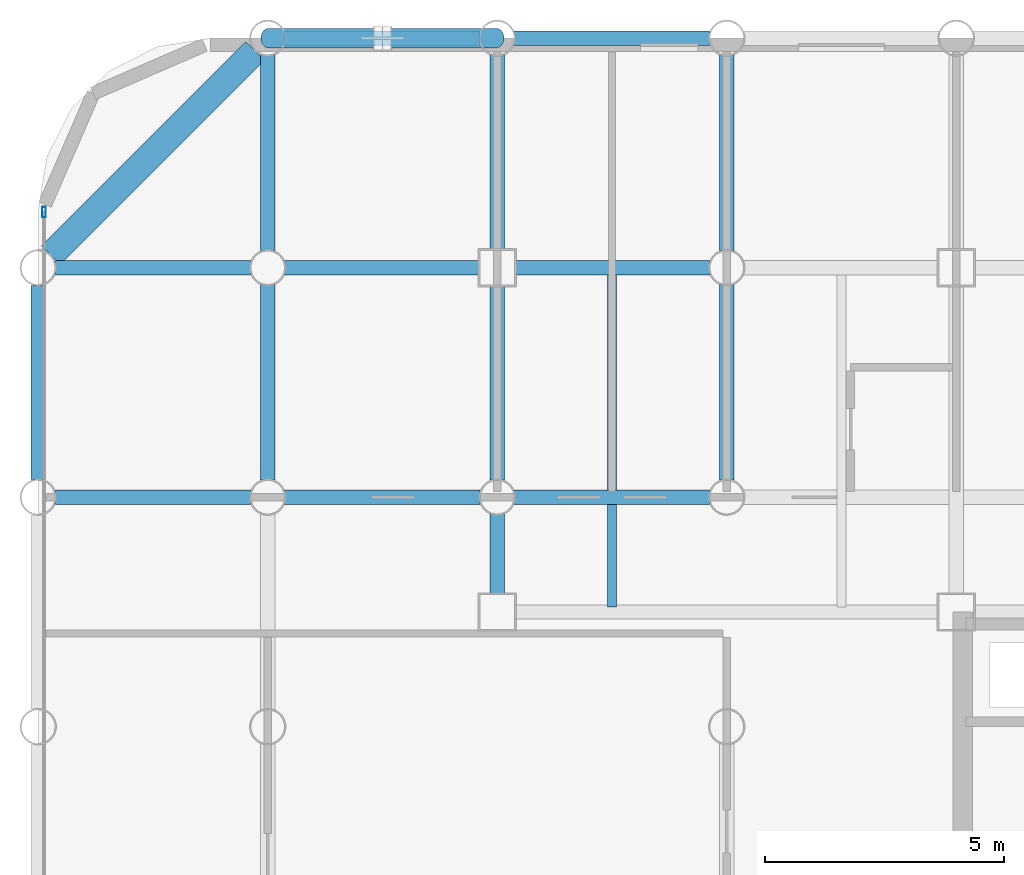
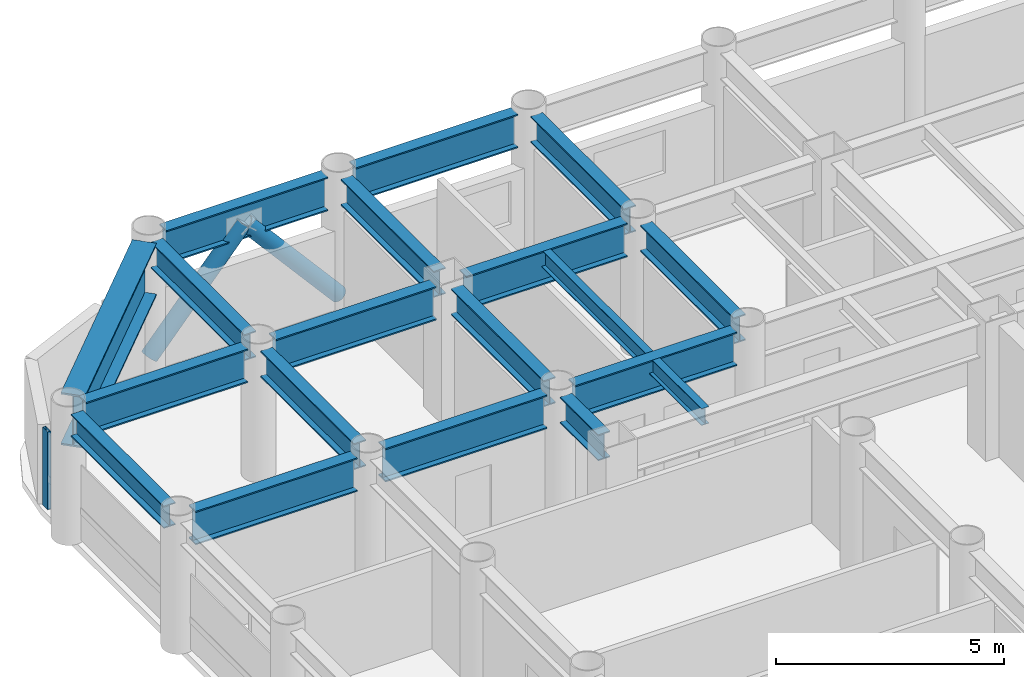
# One storey, part 9 of 22: 18 beams, 3 members, 1 element without a shape of its own.
"""IFC4 building model written with IfcOpenShell, lengths in metres."""

from ifc_helpers import new_model, si_unit, direction, frame, origin, origin_2d, place, context, subcontext, project, spatial, hollow_rectangle, hollow_circle, i_section, extrude, material, layer, layer_set, material_profile, profile_set, type_object, element, aggregate, save


model = new_model("IFC4")

# Units and contexts
model_context = context("Model", 3, precision=1e-05, world=origin(), true_north=direction((0.0, 1.0)))
body_context = subcontext(model_context, "Body", "Model", "MODEL_VIEW")
ifc_project = project(units=[si_unit("LENGTHUNIT", "METRE"), si_unit("AREAUNIT", "SQUARE_METRE"), si_unit("VOLUMEUNIT", "CUBIC_METRE"), si_unit("PLANEANGLEUNIT", "RADIAN"), si_unit("MASSUNIT", "GRAM", prefix="KILO")], contexts=[model_context])

# Site, building, storey
site_placement = place(None, origin())
site = spatial("IfcSite", under=ifc_project, at=site_placement, CompositionType="ELEMENT")
building_placement = place(site_placement, origin())
building = spatial("IfcBuilding", under=site, at=building_placement, Name="Kallvorn Hotel Tower", CompositionType="ELEMENT")
storey_placement = place(building_placement, frame((0.0, 0.0, 48.5)))
storey = spatial("IfcBuildingStorey", under=building, at=storey_placement, Name="L10", CompositionType="ELEMENT", Elevation=48.5)

# Beams
ifc_material_1 = material(Name="Structural steel S355JR", Category="steel")
ifc_material_profile_1 = material_profile(ifc_material_1, i_section(OverallWidth=0.300048828125, OverallDepth=0.60009765625, WebThickness=0.015380859375, FlangeThickness=0.030029296875, at=origin_2d()), Name="HE 600 B")
ifc_profile_set_1 = profile_set([ifc_material_profile_1], Name="Structural steel S355JR")
beam_type_1 = type_object("IfcBeamType", Name="BM_HE600B", PredefinedType="SPANDREL", material=ifc_profile_set_1)
beam_1_placement = place(storey_placement, frame((-33.60009765625, 9.970947265625, 3.219970703125), z_axis=(0.0, 1.0, 0.0), x_axis=(-1.0, 0.0, 0.0)))
element("IfcBeam", 1, at=beam_1_placement, inside=storey, type_object=beam_type_1, Name="L11 Perimeter Spandrel 180", PredefinedType="SPANDREL", context=body_context, shape_type="SweptSolid", body=[
    extrude(i_section(OverallWidth=0.300048828125, OverallDepth=0.60009765625, WebThickness=0.015380859375, FlangeThickness=0.030029296875, at=origin_2d()), origin(), (0.0, 0.0, 1.0), 4.05810546875),
])
ifc_material_2 = material(Name="Structural steel S355JR", Category="steel")
ifc_material_profile_2 = material_profile(ifc_material_2, i_section(OverallWidth=0.300048828125, OverallDepth=0.699951171875, WebThickness=0.01708984375, FlangeThickness=0.031982421875, at=origin_2d()), Name="HE 700 B")
ifc_profile_set_2 = profile_set([ifc_material_profile_2], Name="Structural steel S355JR")
beam_type_2 = type_object("IfcBeamType", Name="BM_HE700B", PredefinedType="BEAM", material=ifc_profile_set_2)
for number, where, z_axis, x_axis, name in (
    (2, (-28.800048828125, 9.9560546875, 3.169921875), (0.0, 1.0, 0.0), (-1.0, 0.0, 0.0), "L11 Primary Y-Girder 80"),
    (3, (-28.800048828125, 14.756103515625, 3.169921875), (0.0, 1.0, 0.0), (-1.0, 0.0, 0.0), "L11 Primary Y-Girder 81"),
):
    element("IfcBeam", number, at=place(storey_placement, frame(where, z_axis=z_axis, x_axis=x_axis)), inside=storey, type_object=beam_type_2, Name=name, PredefinedType="BEAM", context=body_context, shape_type="SweptSolid", body=[
        extrude(i_section(OverallWidth=0.300048828125, OverallDepth=0.699951171875, WebThickness=0.01708984375, FlangeThickness=0.031982421875, at=origin_2d()), origin(), (0.0, 0.0, 1.0), 4.087890625),
    ])
beam_2_placement = place(storey_placement, frame((-24.0, 7.574951171875, 3.169921875), z_axis=(0.0, 1.0, 0.0), x_axis=(-1.0, 0.0, 0.0)))
element("IfcBeam", 4, at=beam_2_placement, inside=storey, type_object=beam_type_2, Name="L11 Primary Y-Girder 86", PredefinedType="BEAM", context=body_context, shape_type="SweptSolid", body=[
    extrude(i_section(OverallWidth=0.300048828125, OverallDepth=0.699951171875, WebThickness=0.01708984375, FlangeThickness=0.031982421875, at=origin_2d()), origin(), (0.0, 0.0, 1.0), 1.6689453125),
])
beam_3_placement = place(storey_placement, frame((-24.0, 9.9560546875, 3.169921875), z_axis=(0.0, 1.0, 0.0), x_axis=(-1.0, 0.0, 0.0)))
element("IfcBeam", 5, at=beam_3_placement, inside=storey, type_object=beam_type_2, Name="L11 Primary Y-Girder 87", PredefinedType="BEAM", context=body_context, shape_type="SweptSolid", body=[
    extrude(i_section(OverallWidth=0.300048828125, OverallDepth=0.699951171875, WebThickness=0.01708984375, FlangeThickness=0.031982421875, at=origin_2d()), origin(), (0.0, 0.0, 1.0), 4.06884765625),
])
beam_4_placement = place(storey_placement, frame((-24.0, 14.77490234375, 3.169921875), z_axis=(0.0, 1.0, 0.0), x_axis=(-1.0, 0.0, 0.0)))
element("IfcBeam", 6, at=beam_4_placement, inside=storey, type_object=beam_type_2, Name="L11 Primary Y-Girder 88", PredefinedType="BEAM", context=body_context, shape_type="SweptSolid", body=[
    extrude(i_section(OverallWidth=0.300048828125, OverallDepth=0.699951171875, WebThickness=0.01708984375, FlangeThickness=0.031982421875, at=origin_2d()), origin(), (0.0, 0.0, 1.0), 4.069091796875),
])
for number, where, z_axis, x_axis, name in (
    (7, (-19.199951171875, 9.9560546875, 3.169921875), (0.0, 1.0, 0.0), (-1.0, 0.0, 0.0), "L11 Primary Y-Girder 96"),
    (8, (-19.199951171875, 14.756103515625, 3.169921875), (0.0, 1.0, 0.0), (-1.0, 0.0, 0.0), "L11 Primary Y-Girder 97"),
):
    element("IfcBeam", number, at=place(storey_placement, frame(where, z_axis=z_axis, x_axis=x_axis)), inside=storey, type_object=beam_type_2, Name=name, PredefinedType="BEAM", context=body_context, shape_type="SweptSolid", body=[
        extrude(i_section(OverallWidth=0.300048828125, OverallDepth=0.699951171875, WebThickness=0.01708984375, FlangeThickness=0.031982421875, at=origin_2d()), origin(), (0.0, 0.0, 1.0), 4.087890625),
    ])
ifc_material_3 = material(Name="Structural steel S355JR", Category="steel")
ifc_material_profile_3 = material_profile(ifc_material_3, i_section(OverallWidth=0.300048828125, OverallDepth=0.89990234375, WebThickness=0.0185546875, FlangeThickness=0.034912109375, at=origin_2d()), Name="HE 900 B")
ifc_profile_set_3 = profile_set([ifc_material_profile_3], Name="Structural steel S355JR")
beam_type_3 = type_object("IfcBeamType", Name="BM_HE900B", PredefinedType="BEAM", material=ifc_profile_set_3)
beam_5_placement = place(storey_placement, frame((-33.243896484375, 9.60009765625, 3.070068359375), z_axis=(1.0, 0.0, 0.0), x_axis=(0.0, 1.0, 0.0)))
element("IfcBeam", 9, at=beam_5_placement, inside=storey, type_object=beam_type_3, Name="L11 Primary X-Girder 42", PredefinedType="BEAM", context=body_context, shape_type="SweptSolid", body=[
    extrude(i_section(OverallWidth=0.300048828125, OverallDepth=0.89990234375, WebThickness=0.0185546875, FlangeThickness=0.034912109375, at=origin_2d()), origin(), (0.0, 0.0, 1.0), 4.087890625),
])
for number, where, z_axis, x_axis, name in (
    (10, (-28.444091796875, 9.60009765625, 3.070068359375), (1.0, 0.0, 0.0), (0.0, 1.0, 0.0), "L11 Primary X-Girder 43"),
    (11, (-23.64404296875, 9.60009765625, 3.070068359375), (1.0, 0.0, 0.0), (0.0, 1.0, 0.0), "L11 Primary X-Girder 44"),
):
    element("IfcBeam", number, at=place(storey_placement, frame(where, z_axis=z_axis, x_axis=x_axis)), inside=storey, type_object=beam_type_3, Name=name, PredefinedType="BEAM", context=body_context, shape_type="SweptSolid", body=[
        extrude(i_section(OverallWidth=0.300048828125, OverallDepth=0.89990234375, WebThickness=0.0185546875, FlangeThickness=0.034912109375, at=origin_2d()), origin(), (0.0, 0.0, 1.0), 4.088134765625),
    ])
beam_6_placement = place(storey_placement, frame((-33.243896484375, 14.39990234375, 3.070068359375), z_axis=(1.0, 0.0, 0.0), x_axis=(0.0, 1.0, 0.0)))
element("IfcBeam", 12, at=beam_6_placement, inside=storey, type_object=beam_type_3, Name="L11 Primary X-Girder 51", PredefinedType="BEAM", context=body_context, shape_type="SweptSolid", body=[
    extrude(i_section(OverallWidth=0.300048828125, OverallDepth=0.89990234375, WebThickness=0.0185546875, FlangeThickness=0.034912109375, at=origin_2d()), origin(), (0.0, 0.0, 1.0), 4.087890625),
])
for number, where, z_axis, x_axis, name in (
    (13, (-28.444091796875, 14.39990234375, 3.070068359375), (1.0, 0.0, 0.0), (0.0, 1.0, 0.0), "L11 Primary X-Girder 52"),
    (14, (-23.625, 14.39990234375, 3.070068359375), (1.0, 0.0, 0.0), (0.0, 1.0, 0.0), "L11 Primary X-Girder 53"),
):
    element("IfcBeam", number, at=place(storey_placement, frame(where, z_axis=z_axis, x_axis=x_axis)), inside=storey, type_object=beam_type_3, Name=name, PredefinedType="BEAM", context=body_context, shape_type="SweptSolid", body=[
        extrude(i_section(OverallWidth=0.300048828125, OverallDepth=0.89990234375, WebThickness=0.0185546875, FlangeThickness=0.034912109375, at=origin_2d()), origin(), (0.0, 0.0, 1.0), 4.069091796875),
    ])
for number, where, z_axis, x_axis, name in (
    (15, (-28.444091796875, 19.199951171875, 3.070068359375), (1.0, 0.0, 0.0), (0.0, 1.0, 0.0), "L11 Primary X-Girder 61"),
    (16, (-23.64404296875, 19.199951171875, 3.070068359375), (1.0, 0.0, 0.0), (0.0, 1.0, 0.0), "L11 Primary X-Girder 62"),
):
    element("IfcBeam", number, at=place(storey_placement, frame(where, z_axis=z_axis, x_axis=x_axis)), inside=storey, type_object=beam_type_3, Name=name, PredefinedType="BEAM", context=body_context, shape_type="SweptSolid", body=[
        extrude(i_section(OverallWidth=0.300048828125, OverallDepth=0.89990234375, WebThickness=0.0185546875, FlangeThickness=0.034912109375, at=origin_2d()), origin(), (0.0, 0.0, 1.0), 4.088134765625),
    ])
ifc_material_4 = material(Name="Structural steel S355JR", Category="steel")
ifc_material_profile_4 = material_profile(ifc_material_4, i_section(OverallWidth=0.18994140625, OverallDepth=0.449951171875, WebThickness=0.009521484375, FlangeThickness=0.0146484375, at=origin_2d()), Name="IPE 450")
ifc_profile_set_4 = profile_set([ifc_material_profile_4], Name="Structural steel S355JR")
beam_type_4 = type_object("IfcBeamType", Name="BM_IPE450", PredefinedType="JOIST", material=ifc_profile_set_4)
beam_7_placement = place(storey_placement, frame((-21.60009765625, 7.300048828125, 3.294921875), z_axis=(0.0, 1.0, 0.0), x_axis=(-1.0, 0.0, 0.0)))
element("IfcBeam", 17, at=beam_7_placement, inside=storey, type_object=beam_type_4, Name="L11 Secondary Composite Joist 193", PredefinedType="JOIST", context=body_context, shape_type="SweptSolid", body=[
    extrude(i_section(OverallWidth=0.18994140625, OverallDepth=0.449951171875, WebThickness=0.009521484375, FlangeThickness=0.0146484375, at=origin_2d()), origin(), (0.0, 0.0, 1.0), 7.0),
])
ifc_material_5 = material(Name="Structural steel S355JR", Category="steel")
ifc_material_profile_5 = material_profile(ifc_material_5, i_section(OverallWidth=0.550048828125, OverallDepth=1.39990234375, WebThickness=0.02490234375, FlangeThickness=0.044921875, at=origin_2d()), Name="PG 1400x550x25x45")
ifc_profile_set_5 = profile_set([ifc_material_profile_5], Name="Structural steel S355JR")
beam_type_5 = type_object("IfcBeamType", Name="BM_PG_1400", PredefinedType="BEAM", material=ifc_profile_set_5)
beam_8_placement = place(storey_placement, frame((-33.337646484375, 14.662353515625, 2.820068359375), z_axis=(0.707106781187, 0.707106781187, 0.0), x_axis=(-0.707106781187, 0.707106781187, 0.0)))
element("IfcBeam", 18, at=beam_8_placement, inside=storey, type_object=beam_type_5, Name="L11 Rounded Corner Tie Beam 190", PredefinedType="BEAM", context=body_context, shape_type="SweptSolid", body=[
    extrude(i_section(OverallWidth=0.550048828125, OverallDepth=1.39990234375, WebThickness=0.02490234375, FlangeThickness=0.044921875, at=origin_2d()), origin(), (0.0, 0.0, 1.0), 6.04638671875),
])

# Curtain wall, member
ifc_material_6 = material(Name="Thermally broken black-anodised aluminium AA 6063-T6", Category="aluminium")
ifc_layer = layer(ifc_material_6, 0.199951171875)
ifc_layer_set = layer_set([ifc_layer], Name="CW_SYS_3_HOTEL_LOW")
curtain_wall_type = type_object("IfcCurtainWallType", Name="CW_SYS_3_HOTEL_LOW", PredefinedType="USERDEFINED", material=ifc_layer_set)
curtain_wall_placement = place(storey_placement, origin())
curtain_wall = element("IfcCurtainWall", 19, at=curtain_wall_placement, inside=storey, type_object=curtain_wall_type, Name="L10 Dark-Glass Curtain Wall CW-L10-WN", ObjectType="UNITISED CURTAIN WALL", PredefinedType="USERDEFINED")
ifc_material_7 = material(Name="Thermally broken black-anodised aluminium AA 6063-T6", Category="aluminium")
ifc_material_profile_6 = material_profile(ifc_material_7, hollow_rectangle(XDim=0.080078125, YDim=0.219970703125, WallThickness=0.0048828125, at=origin_2d()), Name="MUL 220x80")
ifc_profile_set_6 = profile_set([ifc_material_profile_6], Name="Thermally broken black-anodised aluminium AA 6063-T6")
member_type_1 = type_object("IfcMemberType", Name="CW_MULLION_220x80", PredefinedType="MULLION", material=ifc_profile_set_6)
member_placement = place(storey_placement, frame((-33.47998046875, 15.56005859375, 0.02001953125), z_axis=(0.0, 0.0, 1.0), x_axis=(1.0, 0.0, 0.0)))
member = element("IfcMember", 20, at=member_placement, type_object=member_type_1, Name="CW-L10-WN Mullion 01", PredefinedType="MULLION", context=body_context, shape_type="SweptSolid", body=[
    extrude(hollow_rectangle(XDim=0.080078125, YDim=0.219970703125, WallThickness=0.0048828125, at=origin_2d()), origin(), (0.0, 0.0, 1.0), 2.080078125),
])
aggregate(curtain_wall, [member])

# Members
ifc_material_8 = material(Name="Structural steel S355J2H", Category="steel")
ifc_material_profile_7 = material_profile(ifc_material_8, hollow_circle(Radius=0.203125, WallThickness=0.01611328125, at=origin_2d()), Name="CHS 406.4x16")
ifc_profile_set_7 = profile_set([ifc_material_profile_7], Name="Structural steel S355J2H")
member_type_2 = type_object("IfcMemberType", Name="MBR_EXO_CHS406", PredefinedType="BRACE", material=ifc_profile_set_7)
for number, where, z_axis, x_axis, name in (
    (21, (-28.786865234375, 19.199951171875, 0.195068359375), (0.65346062529, 0.0, 0.756960508346), (0.0, 1.0, 0.0), "L10 Exoskeleton K-Brace N1A"),
    (22, (-24.01318359375, 19.199951171875, 0.195068359375), (-0.65346062529, 0.0, 0.756960508346), (0.0, -1.0, 0.0), "L10 Exoskeleton K-Brace N1B"),
):
    element("IfcMember", number, at=place(storey_placement, frame(where, z_axis=z_axis, x_axis=x_axis)), inside=storey, type_object=member_type_2, Name=name, PredefinedType="BRACE", context=body_context, shape_type="SweptSolid", body=[
        extrude(hollow_circle(Radius=0.203125, WallThickness=0.01611328125, at=origin_2d()), origin(), (0.0, 0.0, 1.0), 3.632568359375),
    ])

save(model, "model.ifc")
